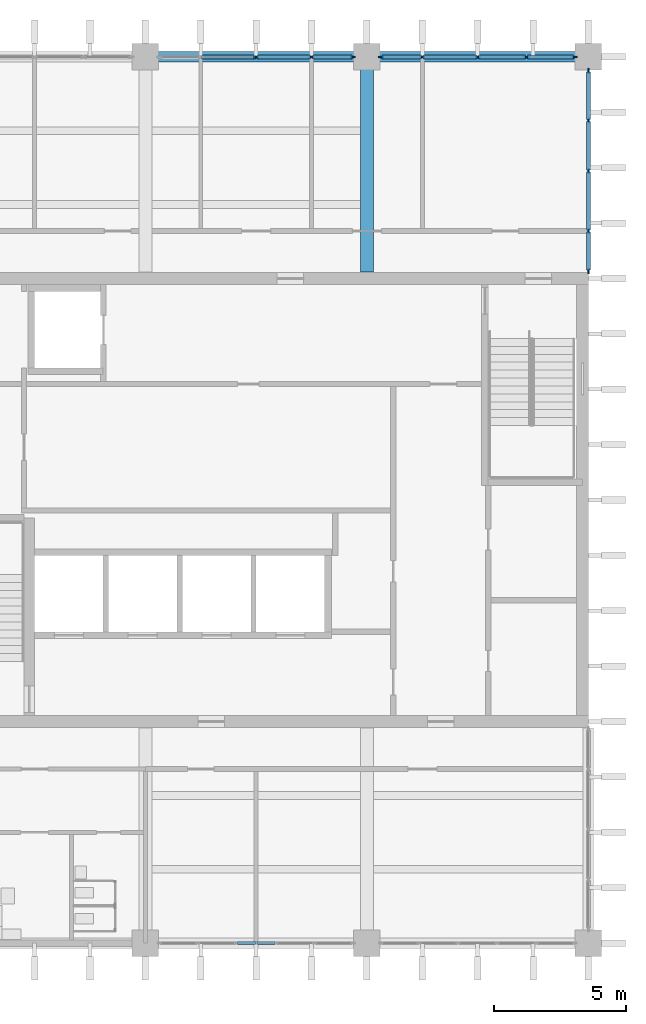
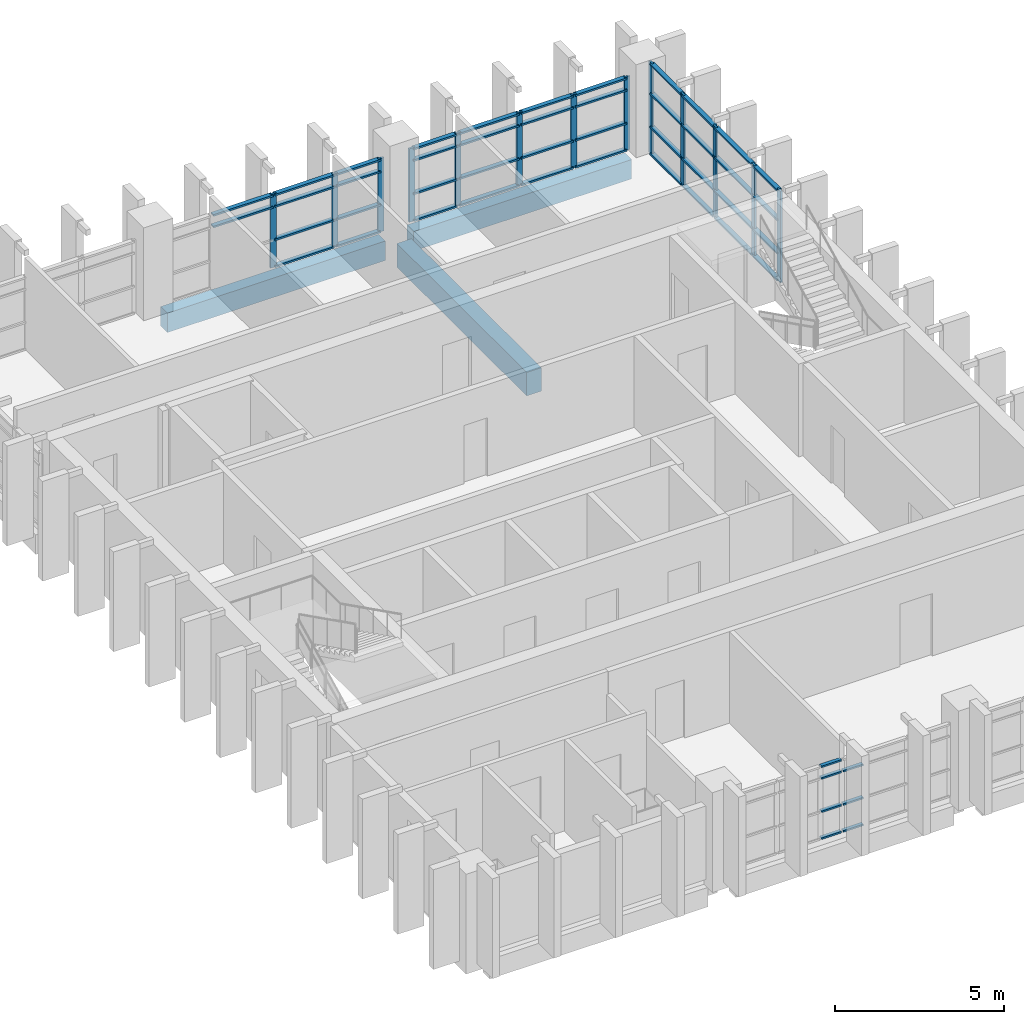
# One storey, part 4 of 11: 62 members, 3 beams, 4 elements without a shape of their own.
"""IFC4 building model written with IfcOpenShell, lengths in metres."""

from ifc_helpers import new_model, si_unit, direction, frame, origin, origin_2d, place, context, subcontext, project, spatial, rectangle, extrude, material, layer, layer_set, material_profile, profile_set, type_object, element, aggregate, save


model = new_model("IFC4")

# Units and contexts
model_context = context("Model", 3, precision=1e-05, world=origin(), true_north=direction((0.0, 1.0)))
body_context = subcontext(model_context, "Body", "Model", "MODEL_VIEW")
ifc_project = project(units=[si_unit("LENGTHUNIT", "METRE"), si_unit("AREAUNIT", "SQUARE_METRE"), si_unit("VOLUMEUNIT", "CUBIC_METRE"), si_unit("PLANEANGLEUNIT", "RADIAN"), si_unit("MASSUNIT", "GRAM", prefix="KILO")], contexts=[model_context])

# Site, building, storey
site_placement = place(None, origin())
site = spatial("IfcSite", under=ifc_project, at=site_placement, CompositionType="ELEMENT")
building_placement = place(site_placement, origin())
building = spatial("IfcBuilding", under=site, at=building_placement, Name="Rulbaag Community and Learning Centre", CompositionType="ELEMENT")
storey_placement = place(building_placement, frame((0.0, 0.0, 18.0)))
storey = spatial("IfcBuildingStorey", under=building, at=storey_placement, Name="L04", CompositionType="ELEMENT", Elevation=18.0)

# Beams
ifc_material_1 = material(Name="Concrete M40", Category="concrete")
ifc_material_profile_1 = material_profile(ifc_material_1, rectangle(XDim=0.39990234375, YDim=0.699951171875, at=origin_2d()), Name="RB400x700")
ifc_profile_set_1 = profile_set([ifc_material_profile_1], Name="Concrete M40")
beam_type_1 = type_object("IfcBeamType", Name="B17 Tower edge beam, lower zone 400x700 Concrete M40", PredefinedType="BEAM", material=ifc_profile_set_1)
beam_1_placement = place(storey_placement, frame((151.679931640625, 117.60009765625, -0.60009765625), z_axis=(1.0, 0.0, 0.0), x_axis=(0.0, 1.0, 0.0)))
element("IfcBeam", 1, at=beam_1_placement, inside=storey, type_object=beam_type_1, Name="BM-L04-19O-20O", PredefinedType="BEAM", context=body_context, shape_type="SweptSolid", body=[
    extrude(rectangle(XDim=0.39990234375, YDim=0.699951171875, at=origin_2d()), origin(), (0.0, 0.0, 1.0), 7.440185546875),
])
beam_2_placement = place(storey_placement, frame((160.080078125, 117.60009765625, -0.60009765625), z_axis=(1.0, 0.0, 0.0), x_axis=(0.0, 1.0, 0.0)))
element("IfcBeam", 2, at=beam_2_placement, inside=storey, type_object=beam_type_1, Name="BM-L04-20O-21O", PredefinedType="BEAM", context=body_context, shape_type="SweptSolid", body=[
    extrude(rectangle(XDim=0.39990234375, YDim=0.699951171875, at=origin_2d()), origin(), (0.0, 0.0, 1.0), 7.43994140625),
])
ifc_material_profile_2 = material_profile(ifc_material_1, rectangle(XDim=0.5, YDim=0.85009765625, at=origin_2d()), Name="RB500x850")
ifc_profile_set_2 = profile_set([ifc_material_profile_2], Name="Concrete M40")
beam_type_2 = type_object("IfcBeamType", Name="B18 Core-framing beam, lower zone 500x850 Concrete M40", PredefinedType="BEAM", material=ifc_profile_set_2)
beam_3_placement = place(storey_placement, frame((159.60009765625, 109.449951171875, -0.675048828125), z_axis=(0.0, 1.0, 0.0), x_axis=(-1.0, 0.0, 0.0)))
element("IfcBeam", 3, at=beam_3_placement, inside=storey, type_object=beam_type_2, Name="BM-L04-20N-20O", PredefinedType="BEAM", context=body_context, shape_type="SweptSolid", body=[
    extrude(rectangle(XDim=0.5, YDim=0.85009765625, at=origin_2d()), origin(), (0.0, 0.0, 1.0), 7.670166015625),
])

# Curtain wall, members
ifc_material_2 = material(Name="Aluminium", Category="aluminium")
ifc_layer_1 = layer(ifc_material_2, 0.14990234375)
ifc_layer_set_1 = layer_set([ifc_layer_1], Name="CW-S")
curtain_wall_type_1 = type_object("IfcCurtainWallType", Name="CW-S", PredefinedType="USERDEFINED", material=ifc_layer_set_1)
curtain_wall_1_placement = place(storey_placement, origin())
curtain_wall_1 = element("IfcCurtainWall", 4, at=curtain_wall_1_placement, inside=storey, type_object=curtain_wall_type_1, Name="GS-L04-01", ObjectType="UNITISED CURTAIN WALL", PredefinedType="USERDEFINED")
ifc_material_3 = material(Name="Aluminium transom", Category="aluminium")
ifc_material_profile_3 = material_profile(ifc_material_3, rectangle(XDim=0.125, YDim=0.06005859375, at=origin_2d()), Name="AL 60x125 T")
ifc_profile_set_3 = profile_set([ifc_material_profile_3], Name="Aluminium transom")
member_type_1 = type_object("IfcMemberType", Name="CW-S-TRN", PredefinedType="USERDEFINED", material=ifc_profile_set_3)
member_1_placement = place(storey_placement, frame((154.68994140625, 84.0, 0.030029296875), z_axis=(1.0, 0.0, 0.0), x_axis=(0.0, 1.0, 0.0)))
member_1 = element("IfcMember", 5, at=member_1_placement, type_object=member_type_1, Name="GS transom 3.1", ObjectType="TRANSOM", PredefinedType="USERDEFINED", context=body_context, shape_type="SweptSolid", body=[
    extrude(rectangle(XDim=0.125, YDim=0.06005859375, at=origin_2d()), origin(), (0.0, 0.0, 1.0), 0.68017578125),
])
member_2_placement = place(storey_placement, frame((154.68994140625, 84.0, 1.0), z_axis=(1.0, 0.0, 0.0), x_axis=(0.0, 1.0, 0.0)))
member_2 = element("IfcMember", 6, at=member_2_placement, type_object=member_type_1, Name="GS transom 3.2", ObjectType="TRANSOM", PredefinedType="USERDEFINED", context=body_context, shape_type="SweptSolid", body=[
    extrude(rectangle(XDim=0.125, YDim=0.06005859375, at=origin_2d()), origin(), (0.0, 0.0, 1.0), 0.68017578125),
])
member_3_placement = place(storey_placement, frame((154.68994140625, 84.0, 2.199951171875), z_axis=(1.0, 0.0, 0.0), x_axis=(0.0, 1.0, 0.0)))
member_3 = element("IfcMember", 7, at=member_3_placement, type_object=member_type_1, Name="GS transom 3.3", ObjectType="TRANSOM", PredefinedType="USERDEFINED", context=body_context, shape_type="SweptSolid", body=[
    extrude(rectangle(XDim=0.125, YDim=0.06005859375, at=origin_2d()), origin(), (0.0, 0.0, 1.0), 0.68017578125),
])
member_4_placement = place(storey_placement, frame((154.68994140625, 84.0, 2.6201171875), z_axis=(1.0, 0.0, 0.0), x_axis=(0.0, 1.0, 0.0)))
member_4 = element("IfcMember", 8, at=member_4_placement, type_object=member_type_1, Name="GS transom 3.4", ObjectType="TRANSOM", PredefinedType="USERDEFINED", context=body_context, shape_type="SweptSolid", body=[
    extrude(rectangle(XDim=0.125, YDim=0.06005859375, at=origin_2d()), origin(), (0.0, 0.0, 1.0), 0.68017578125),
])
member_5_placement = place(storey_placement, frame((155.429931640625, 84.0, 0.030029296875), z_axis=(1.0, 0.0, 0.0), x_axis=(0.0, 1.0, 0.0)))
member_5 = element("IfcMember", 9, at=member_5_placement, type_object=member_type_1, Name="GS transom 4.1", ObjectType="TRANSOM", PredefinedType="USERDEFINED", context=body_context, shape_type="SweptSolid", body=[
    extrude(rectangle(XDim=0.125, YDim=0.06005859375, at=origin_2d()), origin(), (0.0, 0.0, 1.0), 0.68017578125),
])
member_6_placement = place(storey_placement, frame((155.429931640625, 84.0, 1.0), z_axis=(1.0, 0.0, 0.0), x_axis=(0.0, 1.0, 0.0)))
member_6 = element("IfcMember", 10, at=member_6_placement, type_object=member_type_1, Name="GS transom 4.2", ObjectType="TRANSOM", PredefinedType="USERDEFINED", context=body_context, shape_type="SweptSolid", body=[
    extrude(rectangle(XDim=0.125, YDim=0.06005859375, at=origin_2d()), origin(), (0.0, 0.0, 1.0), 0.68017578125),
])
member_7_placement = place(storey_placement, frame((155.429931640625, 84.0, 2.199951171875), z_axis=(1.0, 0.0, 0.0), x_axis=(0.0, 1.0, 0.0)))
member_7 = element("IfcMember", 11, at=member_7_placement, type_object=member_type_1, Name="GS transom 4.3", ObjectType="TRANSOM", PredefinedType="USERDEFINED", context=body_context, shape_type="SweptSolid", body=[
    extrude(rectangle(XDim=0.125, YDim=0.06005859375, at=origin_2d()), origin(), (0.0, 0.0, 1.0), 0.68017578125),
])
aggregate(curtain_wall_1, [member_1, member_2, member_3, member_4, member_5, member_6, member_7])

ifc_layer_2 = layer(ifc_material_2, 0.14990234375)
ifc_layer_set_2 = layer_set([ifc_layer_2], Name="CW-T")
curtain_wall_type_2 = type_object("IfcCurtainWallType", Name="CW-T", PredefinedType="USERDEFINED", material=ifc_layer_set_2)
curtain_wall_2_placement = place(storey_placement, origin())
curtain_wall_2 = element("IfcCurtainWall", 12, at=curtain_wall_2_placement, inside=storey, type_object=curtain_wall_type_2, Name="GT-L04-02", ObjectType="UNITISED CURTAIN WALL", PredefinedType="USERDEFINED")
ifc_material_4 = material(Name="Aluminium mullion", Category="aluminium")
ifc_material_profile_4 = material_profile(ifc_material_4, rectangle(XDim=0.06494140625, YDim=0.199951171875, at=origin_2d()), Name="AL 65x200")
ifc_profile_set_4 = profile_set([ifc_material_profile_4], Name="Aluminium mullion")
member_type_2 = type_object("IfcMemberType", Name="CW-T-MUL", PredefinedType="MULLION", material=ifc_profile_set_4)
member_8_placement = place(storey_placement, frame((155.39990234375, 117.60009765625, 0.0), z_axis=(0.0, 0.0, 1.0), x_axis=(0.0, 1.0, 0.0)))
member_8 = element("IfcMember", 13, at=member_8_placement, type_object=member_type_2, Name="GT mullion 3", PredefinedType="MULLION", context=body_context, shape_type="SweptSolid", body=[
    extrude(rectangle(XDim=0.06494140625, YDim=0.199951171875, at=origin_2d()), origin(), (0.0, 0.0, 1.0), 2.64990234375),
])
member_9_placement = place(storey_placement, frame((157.5, 117.60009765625, 0.0), z_axis=(0.0, 0.0, 1.0), x_axis=(0.0, 1.0, 0.0)))
member_9 = element("IfcMember", 14, at=member_9_placement, type_object=member_type_2, Name="GT mullion 4", PredefinedType="MULLION", context=body_context, shape_type="SweptSolid", body=[
    extrude(rectangle(XDim=0.06494140625, YDim=0.199951171875, at=origin_2d()), origin(), (0.0, 0.0, 1.0), 2.64990234375),
])
member_10_placement = place(storey_placement, frame((159.0673828125, 117.60009765625, 0.0), z_axis=(0.0, 0.0, 1.0), x_axis=(0.0, 1.0, 0.0)))
member_10 = element("IfcMember", 15, at=member_10_placement, type_object=member_type_2, Name="GT mullion 5", PredefinedType="MULLION", context=body_context, shape_type="SweptSolid", body=[
    extrude(rectangle(XDim=0.06494140625, YDim=0.199951171875, at=origin_2d()), origin(), (0.0, 0.0, 1.0), 2.64990234375),
])

curtain_wall_3_placement = place(storey_placement, origin())
curtain_wall_3 = element("IfcCurtainWall", 16, at=curtain_wall_3_placement, inside=storey, type_object=curtain_wall_type_2, Name="GT-L04-03", ObjectType="UNITISED CURTAIN WALL", PredefinedType="USERDEFINED")
member_11_placement = place(storey_placement, frame((160.132568359375, 117.60009765625, 0.0), z_axis=(0.0, 0.0, 1.0), x_axis=(0.0, 1.0, 0.0)))
member_11 = element("IfcMember", 17, at=member_11_placement, type_object=member_type_2, Name="GT mullion 1", PredefinedType="MULLION", context=body_context, shape_type="SweptSolid", body=[
    extrude(rectangle(XDim=0.06494140625, YDim=0.199951171875, at=origin_2d()), origin(), (0.0, 0.0, 1.0), 2.64990234375),
])
member_12_placement = place(storey_placement, frame((161.699951171875, 117.60009765625, 0.0), z_axis=(0.0, 0.0, 1.0), x_axis=(0.0, 1.0, 0.0)))
member_12 = element("IfcMember", 18, at=member_12_placement, type_object=member_type_2, Name="GT mullion 2", PredefinedType="MULLION", context=body_context, shape_type="SweptSolid", body=[
    extrude(rectangle(XDim=0.06494140625, YDim=0.199951171875, at=origin_2d()), origin(), (0.0, 0.0, 1.0), 2.64990234375),
])
member_13_placement = place(storey_placement, frame((163.800048828125, 117.60009765625, 0.0), z_axis=(0.0, 0.0, 1.0), x_axis=(0.0, 1.0, 0.0)))
member_13 = element("IfcMember", 19, at=member_13_placement, type_object=member_type_2, Name="GT mullion 3", PredefinedType="MULLION", context=body_context, shape_type="SweptSolid", body=[
    extrude(rectangle(XDim=0.06494140625, YDim=0.199951171875, at=origin_2d()), origin(), (0.0, 0.0, 1.0), 2.64990234375),
])
member_14_placement = place(storey_placement, frame((165.64990234375, 117.60009765625, 0.0), z_axis=(0.0, 0.0, 1.0), x_axis=(0.0, 1.0, 0.0)))
member_14 = element("IfcMember", 20, at=member_14_placement, type_object=member_type_2, Name="GT mullion 4", PredefinedType="MULLION", context=body_context, shape_type="SweptSolid", body=[
    extrude(rectangle(XDim=0.06494140625, YDim=0.199951171875, at=origin_2d()), origin(), (0.0, 0.0, 1.0), 2.64990234375),
])
member_15_placement = place(storey_placement, frame((167.467529296875, 117.60009765625, 0.0), z_axis=(0.0, 0.0, 1.0), x_axis=(0.0, 1.0, 0.0)))
member_15 = element("IfcMember", 21, at=member_15_placement, type_object=member_type_2, Name="GT mullion 5", PredefinedType="MULLION", context=body_context, shape_type="SweptSolid", body=[
    extrude(rectangle(XDim=0.06494140625, YDim=0.199951171875, at=origin_2d()), origin(), (0.0, 0.0, 1.0), 2.64990234375),
])

curtain_wall_4_placement = place(storey_placement, origin())
curtain_wall_4 = element("IfcCurtainWall", 22, at=curtain_wall_4_placement, inside=storey, type_object=curtain_wall_type_2, Name="GT-L04-06", ObjectType="UNITISED CURTAIN WALL", PredefinedType="USERDEFINED")
member_16_placement = place(storey_placement, frame((168.0, 109.482421875, 0.0), z_axis=(0.0, 0.0, 1.0), x_axis=(-1.0, 0.0, 0.0)))
member_16 = element("IfcMember", 23, at=member_16_placement, type_object=member_type_2, Name="GT mullion 1", PredefinedType="MULLION", context=body_context, shape_type="SweptSolid", body=[
    extrude(rectangle(XDim=0.06494140625, YDim=0.199951171875, at=origin_2d()), origin(), (0.0, 0.0, 1.0), 3.300048828125),
])
member_17_placement = place(storey_placement, frame((168.0, 111.0, 0.0), z_axis=(0.0, 0.0, 1.0), x_axis=(-1.0, 0.0, 0.0)))
member_17 = element("IfcMember", 24, at=member_17_placement, type_object=member_type_2, Name="GT mullion 2", PredefinedType="MULLION", context=body_context, shape_type="SweptSolid", body=[
    extrude(rectangle(XDim=0.06494140625, YDim=0.199951171875, at=origin_2d()), origin(), (0.0, 0.0, 1.0), 3.300048828125),
])
member_18_placement = place(storey_placement, frame((168.0, 113.27490234375, 0.0), z_axis=(0.0, 0.0, 1.0), x_axis=(-1.0, 0.0, 0.0)))
member_18 = element("IfcMember", 25, at=member_18_placement, type_object=member_type_2, Name="GT mullion 3", PredefinedType="MULLION", context=body_context, shape_type="SweptSolid", body=[
    extrude(rectangle(XDim=0.06494140625, YDim=0.199951171875, at=origin_2d()), origin(), (0.0, 0.0, 1.0), 3.300048828125),
])
member_19_placement = place(storey_placement, frame((168.0, 115.1875, 0.0), z_axis=(0.0, 0.0, 1.0), x_axis=(-1.0, 0.0, 0.0)))
member_19 = element("IfcMember", 26, at=member_19_placement, type_object=member_type_2, Name="GT mullion 4", PredefinedType="MULLION", context=body_context, shape_type="SweptSolid", body=[
    extrude(rectangle(XDim=0.06494140625, YDim=0.199951171875, at=origin_2d()), origin(), (0.0, 0.0, 1.0), 3.300048828125),
])
member_20_placement = place(storey_placement, frame((168.0, 117.0673828125, 0.0), z_axis=(0.0, 0.0, 1.0), x_axis=(-1.0, 0.0, 0.0)))
member_20 = element("IfcMember", 27, at=member_20_placement, type_object=member_type_2, Name="GT mullion 5", PredefinedType="MULLION", context=body_context, shape_type="SweptSolid", body=[
    extrude(rectangle(XDim=0.06494140625, YDim=0.199951171875, at=origin_2d()), origin(), (0.0, 0.0, 1.0), 3.300048828125),
])

# Member
ifc_material_profile_5 = material_profile(ifc_material_3, rectangle(XDim=0.14990234375, YDim=0.06494140625, at=origin_2d()), Name="AL 65x150 T")
ifc_profile_set_5 = profile_set([ifc_material_profile_5], Name="Aluminium transom")
member_type_3 = type_object("IfcMemberType", Name="CW-T-TRN", PredefinedType="USERDEFINED", material=ifc_profile_set_5)
member_21_placement = place(storey_placement, frame((153.33251953125, 117.60009765625, 2.199951171875), z_axis=(1.0, 0.0, 0.0), x_axis=(0.0, 1.0, 0.0)))
member_21 = element("IfcMember", 28, at=member_21_placement, type_object=member_type_3, Name="GT transom 2.3", ObjectType="TRANSOM", PredefinedType="USERDEFINED", context=body_context, shape_type="SweptSolid", body=[
    extrude(rectangle(XDim=0.14990234375, YDim=0.06494140625, at=origin_2d()), origin(), (0.0, 0.0, 1.0), 2.034912109375),
])

member_22_placement = place(storey_placement, frame((153.33251953125, 117.60009765625, 2.617431640625), z_axis=(1.0, 0.0, 0.0), x_axis=(0.0, 1.0, 0.0)))
member_22 = element("IfcMember", 29, at=member_22_placement, type_object=member_type_3, Name="GT transom 2.4", ObjectType="TRANSOM", PredefinedType="USERDEFINED", context=body_context, shape_type="SweptSolid", body=[
    extrude(rectangle(XDim=0.14990234375, YDim=0.06494140625, at=origin_2d()), origin(), (0.0, 0.0, 1.0), 2.034912109375),
])

member_23_placement = place(storey_placement, frame((155.4326171875, 117.60009765625, 0.032470703125), z_axis=(1.0, 0.0, 0.0), x_axis=(0.0, 1.0, 0.0)))
member_23 = element("IfcMember", 30, at=member_23_placement, type_object=member_type_3, Name="GT transom 3.1", ObjectType="TRANSOM", PredefinedType="USERDEFINED", context=body_context, shape_type="SweptSolid", body=[
    extrude(rectangle(XDim=0.14990234375, YDim=0.06494140625, at=origin_2d()), origin(), (0.0, 0.0, 1.0), 2.034912109375),
])

member_24_placement = place(storey_placement, frame((155.4326171875, 117.60009765625, 1.0), z_axis=(1.0, 0.0, 0.0), x_axis=(0.0, 1.0, 0.0)))
member_24 = element("IfcMember", 31, at=member_24_placement, type_object=member_type_3, Name="GT transom 3.2", ObjectType="TRANSOM", PredefinedType="USERDEFINED", context=body_context, shape_type="SweptSolid", body=[
    extrude(rectangle(XDim=0.14990234375, YDim=0.06494140625, at=origin_2d()), origin(), (0.0, 0.0, 1.0), 2.034912109375),
])

member_25_placement = place(storey_placement, frame((155.4326171875, 117.60009765625, 2.199951171875), z_axis=(1.0, 0.0, 0.0), x_axis=(0.0, 1.0, 0.0)))
member_25 = element("IfcMember", 32, at=member_25_placement, type_object=member_type_3, Name="GT transom 3.3", ObjectType="TRANSOM", PredefinedType="USERDEFINED", context=body_context, shape_type="SweptSolid", body=[
    extrude(rectangle(XDim=0.14990234375, YDim=0.06494140625, at=origin_2d()), origin(), (0.0, 0.0, 1.0), 2.034912109375),
])

member_26_placement = place(storey_placement, frame((155.4326171875, 117.60009765625, 2.617431640625), z_axis=(1.0, 0.0, 0.0), x_axis=(0.0, 1.0, 0.0)))
member_26 = element("IfcMember", 33, at=member_26_placement, type_object=member_type_3, Name="GT transom 3.4", ObjectType="TRANSOM", PredefinedType="USERDEFINED", context=body_context, shape_type="SweptSolid", body=[
    extrude(rectangle(XDim=0.14990234375, YDim=0.06494140625, at=origin_2d()), origin(), (0.0, 0.0, 1.0), 2.034912109375),
])

member_27_placement = place(storey_placement, frame((157.532470703125, 117.60009765625, 0.032470703125), z_axis=(1.0, 0.0, 0.0), x_axis=(0.0, 1.0, 0.0)))
member_27 = element("IfcMember", 34, at=member_27_placement, type_object=member_type_3, Name="GT transom 4.1", ObjectType="TRANSOM", PredefinedType="USERDEFINED", context=body_context, shape_type="SweptSolid", body=[
    extrude(rectangle(XDim=0.14990234375, YDim=0.06494140625, at=origin_2d()), origin(), (0.0, 0.0, 1.0), 1.50244140625),
])

member_28_placement = place(storey_placement, frame((157.532470703125, 117.60009765625, 1.0), z_axis=(1.0, 0.0, 0.0), x_axis=(0.0, 1.0, 0.0)))
member_28 = element("IfcMember", 35, at=member_28_placement, type_object=member_type_3, Name="GT transom 4.2", ObjectType="TRANSOM", PredefinedType="USERDEFINED", context=body_context, shape_type="SweptSolid", body=[
    extrude(rectangle(XDim=0.14990234375, YDim=0.06494140625, at=origin_2d()), origin(), (0.0, 0.0, 1.0), 1.50244140625),
])

member_29_placement = place(storey_placement, frame((157.532470703125, 117.60009765625, 2.199951171875), z_axis=(1.0, 0.0, 0.0), x_axis=(0.0, 1.0, 0.0)))
member_29 = element("IfcMember", 36, at=member_29_placement, type_object=member_type_3, Name="GT transom 4.3", ObjectType="TRANSOM", PredefinedType="USERDEFINED", context=body_context, shape_type="SweptSolid", body=[
    extrude(rectangle(XDim=0.14990234375, YDim=0.06494140625, at=origin_2d()), origin(), (0.0, 0.0, 1.0), 1.50244140625),
])

member_30_placement = place(storey_placement, frame((157.532470703125, 117.60009765625, 2.617431640625), z_axis=(1.0, 0.0, 0.0), x_axis=(0.0, 1.0, 0.0)))
member_30 = element("IfcMember", 37, at=member_30_placement, type_object=member_type_3, Name="GT transom 4.4", ObjectType="TRANSOM", PredefinedType="USERDEFINED", context=body_context, shape_type="SweptSolid", body=[
    extrude(rectangle(XDim=0.14990234375, YDim=0.06494140625, at=origin_2d()), origin(), (0.0, 0.0, 1.0), 1.50244140625),
])

aggregate(curtain_wall_2, [member_8, member_9, member_10, member_21, member_22, member_23, member_24, member_25, member_26, member_27, member_28, member_29, member_30])

member_31_placement = place(storey_placement, frame((160.1650390625, 117.60009765625, 0.032470703125), z_axis=(1.0, 0.0, 0.0), x_axis=(0.0, 1.0, 0.0)))
member_31 = element("IfcMember", 38, at=member_31_placement, type_object=member_type_3, Name="GT transom 1.1", ObjectType="TRANSOM", PredefinedType="USERDEFINED", context=body_context, shape_type="SweptSolid", body=[
    extrude(rectangle(XDim=0.14990234375, YDim=0.06494140625, at=origin_2d()), origin(), (0.0, 0.0, 1.0), 1.50244140625),
])

member_32_placement = place(storey_placement, frame((160.1650390625, 117.60009765625, 1.0), z_axis=(1.0, 0.0, 0.0), x_axis=(0.0, 1.0, 0.0)))
member_32 = element("IfcMember", 39, at=member_32_placement, type_object=member_type_3, Name="GT transom 1.2", ObjectType="TRANSOM", PredefinedType="USERDEFINED", context=body_context, shape_type="SweptSolid", body=[
    extrude(rectangle(XDim=0.14990234375, YDim=0.06494140625, at=origin_2d()), origin(), (0.0, 0.0, 1.0), 1.50244140625),
])

member_33_placement = place(storey_placement, frame((160.1650390625, 117.60009765625, 2.199951171875), z_axis=(1.0, 0.0, 0.0), x_axis=(0.0, 1.0, 0.0)))
member_33 = element("IfcMember", 40, at=member_33_placement, type_object=member_type_3, Name="GT transom 1.3", ObjectType="TRANSOM", PredefinedType="USERDEFINED", context=body_context, shape_type="SweptSolid", body=[
    extrude(rectangle(XDim=0.14990234375, YDim=0.06494140625, at=origin_2d()), origin(), (0.0, 0.0, 1.0), 1.50244140625),
])

member_34_placement = place(storey_placement, frame((160.1650390625, 117.60009765625, 2.617431640625), z_axis=(1.0, 0.0, 0.0), x_axis=(0.0, 1.0, 0.0)))
member_34 = element("IfcMember", 41, at=member_34_placement, type_object=member_type_3, Name="GT transom 1.4", ObjectType="TRANSOM", PredefinedType="USERDEFINED", context=body_context, shape_type="SweptSolid", body=[
    extrude(rectangle(XDim=0.14990234375, YDim=0.06494140625, at=origin_2d()), origin(), (0.0, 0.0, 1.0), 1.50244140625),
])

member_35_placement = place(storey_placement, frame((161.732421875, 117.60009765625, 0.032470703125), z_axis=(1.0, 0.0, 0.0), x_axis=(0.0, 1.0, 0.0)))
member_35 = element("IfcMember", 42, at=member_35_placement, type_object=member_type_3, Name="GT transom 2.1", ObjectType="TRANSOM", PredefinedType="USERDEFINED", context=body_context, shape_type="SweptSolid", body=[
    extrude(rectangle(XDim=0.14990234375, YDim=0.06494140625, at=origin_2d()), origin(), (0.0, 0.0, 1.0), 2.03515625),
])

member_36_placement = place(storey_placement, frame((161.732421875, 117.60009765625, 1.0), z_axis=(1.0, 0.0, 0.0), x_axis=(0.0, 1.0, 0.0)))
member_36 = element("IfcMember", 43, at=member_36_placement, type_object=member_type_3, Name="GT transom 2.2", ObjectType="TRANSOM", PredefinedType="USERDEFINED", context=body_context, shape_type="SweptSolid", body=[
    extrude(rectangle(XDim=0.14990234375, YDim=0.06494140625, at=origin_2d()), origin(), (0.0, 0.0, 1.0), 2.03515625),
])

member_37_placement = place(storey_placement, frame((161.732421875, 117.60009765625, 2.199951171875), z_axis=(1.0, 0.0, 0.0), x_axis=(0.0, 1.0, 0.0)))
member_37 = element("IfcMember", 44, at=member_37_placement, type_object=member_type_3, Name="GT transom 2.3", ObjectType="TRANSOM", PredefinedType="USERDEFINED", context=body_context, shape_type="SweptSolid", body=[
    extrude(rectangle(XDim=0.14990234375, YDim=0.06494140625, at=origin_2d()), origin(), (0.0, 0.0, 1.0), 2.03515625),
])

member_38_placement = place(storey_placement, frame((161.732421875, 117.60009765625, 2.617431640625), z_axis=(1.0, 0.0, 0.0), x_axis=(0.0, 1.0, 0.0)))
member_38 = element("IfcMember", 45, at=member_38_placement, type_object=member_type_3, Name="GT transom 2.4", ObjectType="TRANSOM", PredefinedType="USERDEFINED", context=body_context, shape_type="SweptSolid", body=[
    extrude(rectangle(XDim=0.14990234375, YDim=0.06494140625, at=origin_2d()), origin(), (0.0, 0.0, 1.0), 2.03515625),
])

member_39_placement = place(storey_placement, frame((163.83251953125, 117.60009765625, 0.032470703125), z_axis=(1.0, 0.0, 0.0), x_axis=(0.0, 1.0, 0.0)))
member_39 = element("IfcMember", 46, at=member_39_placement, type_object=member_type_3, Name="GT transom 3.1", ObjectType="TRANSOM", PredefinedType="USERDEFINED", context=body_context, shape_type="SweptSolid", body=[
    extrude(rectangle(XDim=0.14990234375, YDim=0.06494140625, at=origin_2d()), origin(), (0.0, 0.0, 1.0), 1.784912109375),
])

member_40_placement = place(storey_placement, frame((163.83251953125, 117.60009765625, 1.0), z_axis=(1.0, 0.0, 0.0), x_axis=(0.0, 1.0, 0.0)))
member_40 = element("IfcMember", 47, at=member_40_placement, type_object=member_type_3, Name="GT transom 3.2", ObjectType="TRANSOM", PredefinedType="USERDEFINED", context=body_context, shape_type="SweptSolid", body=[
    extrude(rectangle(XDim=0.14990234375, YDim=0.06494140625, at=origin_2d()), origin(), (0.0, 0.0, 1.0), 1.784912109375),
])

member_41_placement = place(storey_placement, frame((163.83251953125, 117.60009765625, 2.199951171875), z_axis=(1.0, 0.0, 0.0), x_axis=(0.0, 1.0, 0.0)))
member_41 = element("IfcMember", 48, at=member_41_placement, type_object=member_type_3, Name="GT transom 3.3", ObjectType="TRANSOM", PredefinedType="USERDEFINED", context=body_context, shape_type="SweptSolid", body=[
    extrude(rectangle(XDim=0.14990234375, YDim=0.06494140625, at=origin_2d()), origin(), (0.0, 0.0, 1.0), 1.784912109375),
])

member_42_placement = place(storey_placement, frame((163.83251953125, 117.60009765625, 2.617431640625), z_axis=(1.0, 0.0, 0.0), x_axis=(0.0, 1.0, 0.0)))
member_42 = element("IfcMember", 49, at=member_42_placement, type_object=member_type_3, Name="GT transom 3.4", ObjectType="TRANSOM", PredefinedType="USERDEFINED", context=body_context, shape_type="SweptSolid", body=[
    extrude(rectangle(XDim=0.14990234375, YDim=0.06494140625, at=origin_2d()), origin(), (0.0, 0.0, 1.0), 1.784912109375),
])

member_43_placement = place(storey_placement, frame((165.6826171875, 117.60009765625, 0.032470703125), z_axis=(1.0, 0.0, 0.0), x_axis=(0.0, 1.0, 0.0)))
member_43 = element("IfcMember", 50, at=member_43_placement, type_object=member_type_3, Name="GT transom 4.1", ObjectType="TRANSOM", PredefinedType="USERDEFINED", context=body_context, shape_type="SweptSolid", body=[
    extrude(rectangle(XDim=0.14990234375, YDim=0.06494140625, at=origin_2d()), origin(), (0.0, 0.0, 1.0), 1.75244140625),
])

member_44_placement = place(storey_placement, frame((165.6826171875, 117.60009765625, 1.0), z_axis=(1.0, 0.0, 0.0), x_axis=(0.0, 1.0, 0.0)))
member_44 = element("IfcMember", 51, at=member_44_placement, type_object=member_type_3, Name="GT transom 4.2", ObjectType="TRANSOM", PredefinedType="USERDEFINED", context=body_context, shape_type="SweptSolid", body=[
    extrude(rectangle(XDim=0.14990234375, YDim=0.06494140625, at=origin_2d()), origin(), (0.0, 0.0, 1.0), 1.75244140625),
])

member_45_placement = place(storey_placement, frame((165.6826171875, 117.60009765625, 2.199951171875), z_axis=(1.0, 0.0, 0.0), x_axis=(0.0, 1.0, 0.0)))
member_45 = element("IfcMember", 52, at=member_45_placement, type_object=member_type_3, Name="GT transom 4.3", ObjectType="TRANSOM", PredefinedType="USERDEFINED", context=body_context, shape_type="SweptSolid", body=[
    extrude(rectangle(XDim=0.14990234375, YDim=0.06494140625, at=origin_2d()), origin(), (0.0, 0.0, 1.0), 1.75244140625),
])

member_46_placement = place(storey_placement, frame((165.6826171875, 117.60009765625, 2.617431640625), z_axis=(1.0, 0.0, 0.0), x_axis=(0.0, 1.0, 0.0)))
member_46 = element("IfcMember", 53, at=member_46_placement, type_object=member_type_3, Name="GT transom 4.4", ObjectType="TRANSOM", PredefinedType="USERDEFINED", context=body_context, shape_type="SweptSolid", body=[
    extrude(rectangle(XDim=0.14990234375, YDim=0.06494140625, at=origin_2d()), origin(), (0.0, 0.0, 1.0), 1.75244140625),
])

aggregate(curtain_wall_3, [member_11, member_12, member_13, member_14, member_15, member_31, member_32, member_33, member_34, member_35, member_36, member_37, member_38, member_39, member_40, member_41, member_42, member_43, member_44, member_45, member_46])

member_47_placement = place(storey_placement, frame((168.0, 109.514892578125, 0.032470703125), z_axis=(0.0, 1.0, 0.0), x_axis=(-1.0, 0.0, 0.0)))
member_47 = element("IfcMember", 54, at=member_47_placement, type_object=member_type_3, Name="GT transom 1.1", ObjectType="TRANSOM", PredefinedType="USERDEFINED", context=body_context, shape_type="SweptSolid", body=[
    extrude(rectangle(XDim=0.14990234375, YDim=0.06494140625, at=origin_2d()), origin(), (0.0, 0.0, 1.0), 1.45263671875),
])

member_48_placement = place(storey_placement, frame((168.0, 109.514892578125, 1.0), z_axis=(0.0, 1.0, 0.0), x_axis=(-1.0, 0.0, 0.0)))
member_48 = element("IfcMember", 55, at=member_48_placement, type_object=member_type_3, Name="GT transom 1.2", ObjectType="TRANSOM", PredefinedType="USERDEFINED", context=body_context, shape_type="SweptSolid", body=[
    extrude(rectangle(XDim=0.14990234375, YDim=0.06494140625, at=origin_2d()), origin(), (0.0, 0.0, 1.0), 1.45263671875),
])

member_49_placement = place(storey_placement, frame((168.0, 109.514892578125, 2.199951171875), z_axis=(0.0, 1.0, 0.0), x_axis=(-1.0, 0.0, 0.0)))
member_49 = element("IfcMember", 56, at=member_49_placement, type_object=member_type_3, Name="GT transom 1.3", ObjectType="TRANSOM", PredefinedType="USERDEFINED", context=body_context, shape_type="SweptSolid", body=[
    extrude(rectangle(XDim=0.14990234375, YDim=0.06494140625, at=origin_2d()), origin(), (0.0, 0.0, 1.0), 1.45263671875),
])

member_50_placement = place(storey_placement, frame((168.0, 109.514892578125, 3.267578125), z_axis=(0.0, 1.0, 0.0), x_axis=(-1.0, 0.0, 0.0)))
member_50 = element("IfcMember", 57, at=member_50_placement, type_object=member_type_3, Name="GT transom 1.4", ObjectType="TRANSOM", PredefinedType="USERDEFINED", context=body_context, shape_type="SweptSolid", body=[
    extrude(rectangle(XDim=0.14990234375, YDim=0.06494140625, at=origin_2d()), origin(), (0.0, 0.0, 1.0), 1.45263671875),
])

member_51_placement = place(storey_placement, frame((168.0, 111.032470703125, 0.032470703125), z_axis=(0.0, 1.0, 0.0), x_axis=(-1.0, 0.0, 0.0)))
member_51 = element("IfcMember", 58, at=member_51_placement, type_object=member_type_3, Name="GT transom 2.1", ObjectType="TRANSOM", PredefinedType="USERDEFINED", context=body_context, shape_type="SweptSolid", body=[
    extrude(rectangle(XDim=0.14990234375, YDim=0.06494140625, at=origin_2d()), origin(), (0.0, 0.0, 1.0), 2.2099609375),
])

member_52_placement = place(storey_placement, frame((168.0, 111.032470703125, 1.0), z_axis=(0.0, 1.0, 0.0), x_axis=(-1.0, 0.0, 0.0)))
member_52 = element("IfcMember", 59, at=member_52_placement, type_object=member_type_3, Name="GT transom 2.2", ObjectType="TRANSOM", PredefinedType="USERDEFINED", context=body_context, shape_type="SweptSolid", body=[
    extrude(rectangle(XDim=0.14990234375, YDim=0.06494140625, at=origin_2d()), origin(), (0.0, 0.0, 1.0), 2.2099609375),
])

member_53_placement = place(storey_placement, frame((168.0, 111.032470703125, 2.199951171875), z_axis=(0.0, 1.0, 0.0), x_axis=(-1.0, 0.0, 0.0)))
member_53 = element("IfcMember", 60, at=member_53_placement, type_object=member_type_3, Name="GT transom 2.3", ObjectType="TRANSOM", PredefinedType="USERDEFINED", context=body_context, shape_type="SweptSolid", body=[
    extrude(rectangle(XDim=0.14990234375, YDim=0.06494140625, at=origin_2d()), origin(), (0.0, 0.0, 1.0), 2.2099609375),
])

member_54_placement = place(storey_placement, frame((168.0, 111.032470703125, 3.267578125), z_axis=(0.0, 1.0, 0.0), x_axis=(-1.0, 0.0, 0.0)))
member_54 = element("IfcMember", 61, at=member_54_placement, type_object=member_type_3, Name="GT transom 2.4", ObjectType="TRANSOM", PredefinedType="USERDEFINED", context=body_context, shape_type="SweptSolid", body=[
    extrude(rectangle(XDim=0.14990234375, YDim=0.06494140625, at=origin_2d()), origin(), (0.0, 0.0, 1.0), 2.2099609375),
])

member_55_placement = place(storey_placement, frame((168.0, 113.3076171875, 0.032470703125), z_axis=(0.0, 1.0, 0.0), x_axis=(-1.0, 0.0, 0.0)))
member_55 = element("IfcMember", 62, at=member_55_placement, type_object=member_type_3, Name="GT transom 3.1", ObjectType="TRANSOM", PredefinedType="USERDEFINED", context=body_context, shape_type="SweptSolid", body=[
    extrude(rectangle(XDim=0.14990234375, YDim=0.06494140625, at=origin_2d()), origin(), (0.0, 0.0, 1.0), 1.847412109375),
])

member_56_placement = place(storey_placement, frame((168.0, 113.3076171875, 1.0), z_axis=(0.0, 1.0, 0.0), x_axis=(-1.0, 0.0, 0.0)))
member_56 = element("IfcMember", 63, at=member_56_placement, type_object=member_type_3, Name="GT transom 3.2", ObjectType="TRANSOM", PredefinedType="USERDEFINED", context=body_context, shape_type="SweptSolid", body=[
    extrude(rectangle(XDim=0.14990234375, YDim=0.06494140625, at=origin_2d()), origin(), (0.0, 0.0, 1.0), 1.847412109375),
])

member_57_placement = place(storey_placement, frame((168.0, 113.3076171875, 2.199951171875), z_axis=(0.0, 1.0, 0.0), x_axis=(-1.0, 0.0, 0.0)))
member_57 = element("IfcMember", 64, at=member_57_placement, type_object=member_type_3, Name="GT transom 3.3", ObjectType="TRANSOM", PredefinedType="USERDEFINED", context=body_context, shape_type="SweptSolid", body=[
    extrude(rectangle(XDim=0.14990234375, YDim=0.06494140625, at=origin_2d()), origin(), (0.0, 0.0, 1.0), 1.847412109375),
])

member_58_placement = place(storey_placement, frame((168.0, 113.3076171875, 3.267578125), z_axis=(0.0, 1.0, 0.0), x_axis=(-1.0, 0.0, 0.0)))
member_58 = element("IfcMember", 65, at=member_58_placement, type_object=member_type_3, Name="GT transom 3.4", ObjectType="TRANSOM", PredefinedType="USERDEFINED", context=body_context, shape_type="SweptSolid", body=[
    extrude(rectangle(XDim=0.14990234375, YDim=0.06494140625, at=origin_2d()), origin(), (0.0, 0.0, 1.0), 1.847412109375),
])

member_59_placement = place(storey_placement, frame((168.0, 115.219970703125, 0.032470703125), z_axis=(0.0, 1.0, 0.0), x_axis=(-1.0, 0.0, 0.0)))
member_59 = element("IfcMember", 66, at=member_59_placement, type_object=member_type_3, Name="GT transom 4.1", ObjectType="TRANSOM", PredefinedType="USERDEFINED", context=body_context, shape_type="SweptSolid", body=[
    extrude(rectangle(XDim=0.14990234375, YDim=0.06494140625, at=origin_2d()), origin(), (0.0, 0.0, 1.0), 1.81494140625),
])

member_60_placement = place(storey_placement, frame((168.0, 115.219970703125, 1.0), z_axis=(0.0, 1.0, 0.0), x_axis=(-1.0, 0.0, 0.0)))
member_60 = element("IfcMember", 67, at=member_60_placement, type_object=member_type_3, Name="GT transom 4.2", ObjectType="TRANSOM", PredefinedType="USERDEFINED", context=body_context, shape_type="SweptSolid", body=[
    extrude(rectangle(XDim=0.14990234375, YDim=0.06494140625, at=origin_2d()), origin(), (0.0, 0.0, 1.0), 1.81494140625),
])

member_61_placement = place(storey_placement, frame((168.0, 115.219970703125, 2.199951171875), z_axis=(0.0, 1.0, 0.0), x_axis=(-1.0, 0.0, 0.0)))
member_61 = element("IfcMember", 68, at=member_61_placement, type_object=member_type_3, Name="GT transom 4.3", ObjectType="TRANSOM", PredefinedType="USERDEFINED", context=body_context, shape_type="SweptSolid", body=[
    extrude(rectangle(XDim=0.14990234375, YDim=0.06494140625, at=origin_2d()), origin(), (0.0, 0.0, 1.0), 1.81494140625),
])

member_62_placement = place(storey_placement, frame((168.0, 115.219970703125, 3.267578125), z_axis=(0.0, 1.0, 0.0), x_axis=(-1.0, 0.0, 0.0)))
member_62 = element("IfcMember", 69, at=member_62_placement, type_object=member_type_3, Name="GT transom 4.4", ObjectType="TRANSOM", PredefinedType="USERDEFINED", context=body_context, shape_type="SweptSolid", body=[
    extrude(rectangle(XDim=0.14990234375, YDim=0.06494140625, at=origin_2d()), origin(), (0.0, 0.0, 1.0), 1.81494140625),
])

aggregate(curtain_wall_4, [member_16, member_17, member_18, member_19, member_20, member_47, member_48, member_49, member_50, member_51, member_52, member_53, member_54, member_55, member_56, member_57, member_58, member_59, member_60, member_61, member_62])

save(model, "model.ifc")
